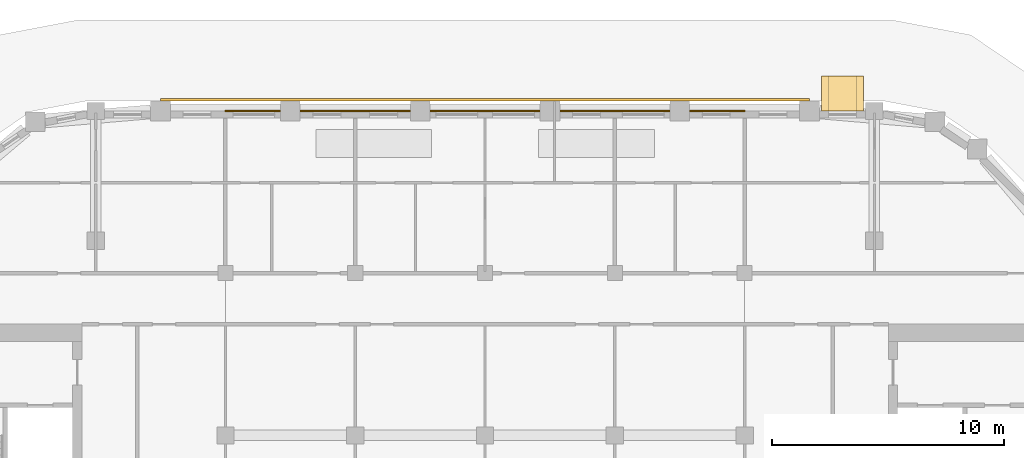
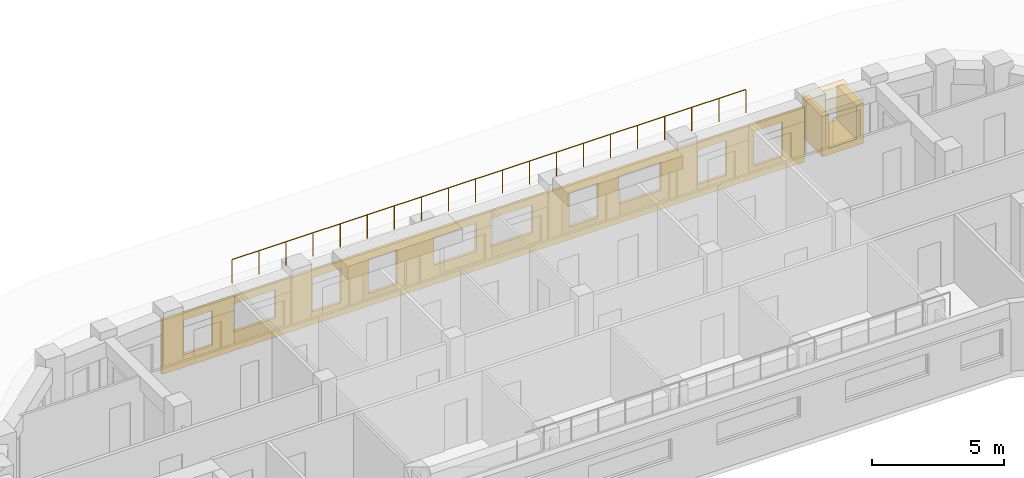
# One storey, part 15 of 16: 3 coverings, 1 railing.
"""IFC4 building model written with IfcOpenShell, lengths in metres."""

from ifc_helpers import new_model, si_unit, direction, frame, origin, origin_2d, place, context, subcontext, project, spatial, polyline, rectangle, circle, outline, extrude, material, layer, layer_set, type_object, element, save


model = new_model("IFC4")

# Units and contexts
model_context = context("Model", 3, precision=1e-05, world=origin(), true_north=direction((0.0, 1.0)))
body_context = subcontext(model_context, "Body", "Model", "MODEL_VIEW")
ifc_project = project(units=[si_unit("LENGTHUNIT", "METRE"), si_unit("AREAUNIT", "SQUARE_METRE"), si_unit("VOLUMEUNIT", "CUBIC_METRE"), si_unit("PLANEANGLEUNIT", "RADIAN"), si_unit("MASSUNIT", "GRAM", prefix="KILO")], contexts=[model_context])

# Site, building, storey
site_placement = place(None, origin())
site = spatial("IfcSite", under=ifc_project, at=site_placement, CompositionType="ELEMENT")
building_placement = place(site_placement, origin())
building = spatial("IfcBuilding", under=site, at=building_placement, Name="Kiln Ring Residences", CompositionType="ELEMENT")
storey_placement = place(building_placement, frame((0.0, 0.0, 227.39990234375)))
storey = spatial("IfcBuildingStorey", under=building, at=storey_placement, Name="L59", CompositionType="ELEMENT", Elevation=227.39990234375)

# Coverings
ifc_material_1 = material(Name="Brick masonry, dark clay brick", Category="masonry")
ifc_layer_1 = layer(ifc_material_1, 0.300048828125)
ifc_layer_set_1 = layer_set([ifc_layer_1], Name="FRAME CHEEKS AND SILL 1500")
covering_type_1 = type_object("IfcCoveringType", Name="FRAME CHEEKS AND SILL 1500", PredefinedType="CLADDING", material=ifc_layer_set_1)
covering_1_placement = place(storey_placement, frame((16.324951171875, 23.14990234375, 0.300048828125), z_axis=(0.0, 0.0, 1.0), x_axis=(-1.0, 0.0, 0.0)))
element("IfcCovering", 1, at=covering_1_placement, inside=storey, type_object=covering_type_1, Name="FRAME L59", PredefinedType="CLADDING", context=body_context, shape_type="SweptSolid", body=[
    extrude(outline(polyline([(0.0, 0.0), (1.800048828125, 0.0), (1.800048828125, 1.85009765625), (1.5009765625, 1.85009765625), (1.5, 0.300048828125), (0.300048828125, 0.300048828125), (0.299072265625, 1.85009765625), (0.0, 1.85009765625), (0.0, 0.0)])), frame((0.0, 0.75, 0.0), z_axis=(0.0, -1.0, 0.0), x_axis=(1.0, 0.0, 0.0)), (0.0, 0.0, 1.0), 1.5),
])
ifc_material_2 = material(Name="Brick masonry, dark clay brick", Category="masonry")
ifc_layer_2 = layer(ifc_material_2, 0.199951171875)
ifc_layer_set_2 = layer_set([ifc_layer_2], Name="FRAME HEAD 1500")
covering_type_2 = type_object("IfcCoveringType", Name="FRAME HEAD 1500", PredefinedType="CLADDING", material=ifc_layer_set_2)
covering_2_placement = place(storey_placement, frame((15.425048828125, 23.14990234375, 2.14990234375), z_axis=(0.0, 0.0, 1.0), x_axis=(-1.0, 0.0, 0.0)))
element("IfcCovering", 2, at=covering_2_placement, inside=storey, type_object=covering_type_2, Name="FRAME HEAD L59", PredefinedType="CLADDING", context=body_context, shape_type="SweptSolid", body=[
    extrude(rectangle(XDim=1.800048828125, YDim=1.5, at=origin_2d()), origin(), (0.0, 0.0, 1.0), 0.199951171875),
])
ifc_material_3 = material(Name="Brick masonry, dark clay brick", Category="masonry")
ifc_layer_3 = layer(ifc_material_3, 0.1201171875)
ifc_layer_set_3 = layer_set([ifc_layer_3], Name="RAINSCREEN PANEL 120")
covering_type_3 = type_object("IfcCoveringType", Name="RAINSCREEN PANEL 120", PredefinedType="CLADDING", material=ifc_layer_set_3)
covering_3_placement = place(storey_placement, frame((14.0, 22.885009765625, 0.0), z_axis=(0.0, 0.0, 1.0), x_axis=(-1.0, 0.0, 0.0)))
element("IfcCovering", 3, at=covering_3_placement, inside=storey, type_object=covering_type_3, Name="RAINSCREEN L59", PredefinedType="CLADDING", context=body_context, shape_type="SweptSolid", body=[
    extrude(outline(polyline([(0.0, 0.0), (28.0, 0.0), (28.0, 2.5), (0.0, 2.5), (0.0, 0.0)]), holes=[polyline([(0.955078125, 0.580078125), (2.195068359375, 0.580078125), (2.195068359375, 2.170166015625), (0.955078125, 2.170166015625), (0.955078125, 0.580078125)]), polyline([(3.405029296875, 0.580078125), (4.64501953125, 0.580078125), (4.64501953125, 2.170166015625), (3.405029296875, 2.170166015625), (3.405029296875, 0.580078125)]), polyline([(9.0048828125, 0.580078125), (10.2451171875, 0.580078125), (10.2451171875, 2.170166015625), (9.0048828125, 2.170166015625), (9.0048828125, 0.580078125)]), polyline([(17.7548828125, 2.170166015625), (17.7548828125, 0.580078125), (18.9951171875, 0.580078125), (18.9951171875, 2.170166015625), (17.7548828125, 2.170166015625)]), polyline([(20.205078125, 2.170166015625), (20.205078125, 0.580078125), (21.445068359375, 0.580078125), (21.445068359375, 2.170166015625), (20.205078125, 2.170166015625)]), polyline([(25.804931640625, 0.580078125), (27.044921875, 0.580078125), (27.044921875, 2.170166015625), (25.804931640625, 2.170166015625), (25.804931640625, 0.580078125)]), polyline([(6.2548828125, 0.880126953125), (8.094970703125, 0.880126953125), (8.094970703125, 2.170166015625), (6.2548828125, 2.170166015625), (6.2548828125, 0.880126953125)]), polyline([(11.85498046875, 0.880126953125), (13.695068359375, 0.880126953125), (13.695068359375, 2.170166015625), (11.85498046875, 2.170166015625), (11.85498046875, 0.880126953125)]), polyline([(14.304931640625, 2.170166015625), (14.304931640625, 0.880126953125), (16.14501953125, 0.880126953125), (16.14501953125, 2.170166015625), (14.304931640625, 2.170166015625)]), polyline([(23.054931640625, 2.170166015625), (23.054931640625, 0.880126953125), (24.89501953125, 0.880126953125), (24.89501953125, 2.170166015625), (23.054931640625, 2.170166015625)])]), frame((0.0, 0.06005859375, 0.0), z_axis=(0.0, -1.0, 0.0), x_axis=(1.0, 0.0, 0.0)), (0.0, 0.0, 1.0), 0.1201171875),
])

# Railing
ifc_material_4 = material(Name="Black powder-coated steel", Category="steel")
railing_type = type_object("IfcRailingType", Name="ROOF GUARD 1100", PredefinedType="GUARDRAIL", material=ifc_material_4)
railing_placement = place(storey_placement, frame((11.199951171875, 22.39990234375, 3.5)))
element("IfcRailing", 4, at=railing_placement, inside=storey, type_object=railing_type, Name="GUARD L59 sky portal terrace", PredefinedType="GUARDRAIL", context=body_context, shape_type="SweptSolid", body=[
    extrude(circle(Radius=0.02392578125, at=origin_2d()), frame((0.0, 0.0, 1.076171875), z_axis=(-1.0, 0.0, 0.0), x_axis=(0.0, -1.0, 0.0)), (0.0, 0.0, 1.0), 22.39990234375),
    extrude(circle(Radius=0.02099609375, at=origin_2d()), origin(), (0.0, 0.0, 1.0), 1.052001953125),
    extrude(circle(Radius=0.02099609375, at=origin_2d()), frame((-1.178955078125, 0.0, 0.0)), (0.0, 0.0, 1.0), 1.052001953125),
    extrude(circle(Radius=0.02099609375, at=origin_2d()), frame((-2.35791015625, 0.0, 0.0)), (0.0, 0.0, 1.0), 1.052001953125),
    extrude(circle(Radius=0.02099609375, at=origin_2d()), frame((-3.536865234375, 0.0, 0.0)), (0.0, 0.0, 1.0), 1.052001953125),
    extrude(circle(Radius=0.02099609375, at=origin_2d()), frame((-4.7158203125, 0.0, 0.0)), (0.0, 0.0, 1.0), 1.052001953125),
    extrude(circle(Radius=0.02099609375, at=origin_2d()), frame((-5.894775390625, 0.0, 0.0)), (0.0, 0.0, 1.0), 1.052001953125),
    extrude(circle(Radius=0.02099609375, at=origin_2d()), frame((-7.07373046875, 0.0, 0.0)), (0.0, 0.0, 1.0), 1.052001953125),
    extrude(circle(Radius=0.02099609375, at=origin_2d()), frame((-8.252685546875, 0.0, 0.0)), (0.0, 0.0, 1.0), 1.052001953125),
    extrude(circle(Radius=0.02099609375, at=origin_2d()), frame((-9.431640625, 0.0, 0.0)), (0.0, 0.0, 1.0), 1.052001953125),
    extrude(circle(Radius=0.02099609375, at=origin_2d()), frame((-10.610595703125, 0.0, 0.0)), (0.0, 0.0, 1.0), 1.052001953125),
    extrude(circle(Radius=0.02099609375, at=origin_2d()), frame((-11.789306640625, 0.0, 0.0)), (0.0, 0.0, 1.0), 1.052001953125),
    extrude(circle(Radius=0.02099609375, at=origin_2d()), frame((-12.96826171875, 0.0, 0.0)), (0.0, 0.0, 1.0), 1.052001953125),
    extrude(circle(Radius=0.02099609375, at=origin_2d()), frame((-14.147216796875, 0.0, 0.0)), (0.0, 0.0, 1.0), 1.052001953125),
    extrude(circle(Radius=0.02099609375, at=origin_2d()), frame((-15.326171875, 0.0, 0.0)), (0.0, 0.0, 1.0), 1.052001953125),
    extrude(circle(Radius=0.02099609375, at=origin_2d()), frame((-16.505126953125, 0.0, 0.0)), (0.0, 0.0, 1.0), 1.052001953125),
    extrude(circle(Radius=0.02099609375, at=origin_2d()), frame((-17.68408203125, 0.0, 0.0)), (0.0, 0.0, 1.0), 1.052001953125),
    extrude(circle(Radius=0.02099609375, at=origin_2d()), frame((-18.863037109375, 0.0, 0.0)), (0.0, 0.0, 1.0), 1.052001953125),
    extrude(circle(Radius=0.02099609375, at=origin_2d()), frame((-20.0419921875, 0.0, 0.0)), (0.0, 0.0, 1.0), 1.052001953125),
    extrude(circle(Radius=0.02099609375, at=origin_2d()), frame((-21.220947265625, 0.0, 0.0)), (0.0, 0.0, 1.0), 1.052001953125),
    extrude(circle(Radius=0.02099609375, at=origin_2d()), frame((-22.39990234375, 0.0, 0.0)), (0.0, 0.0, 1.0), 1.052001953125),
])

save(model, "model.ifc")
